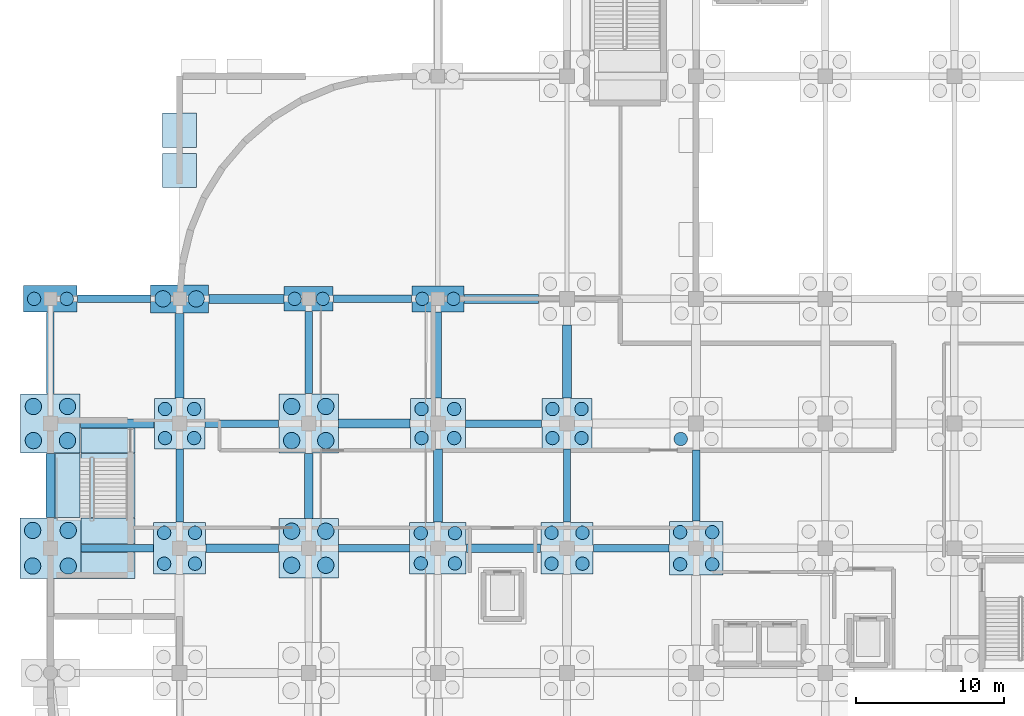
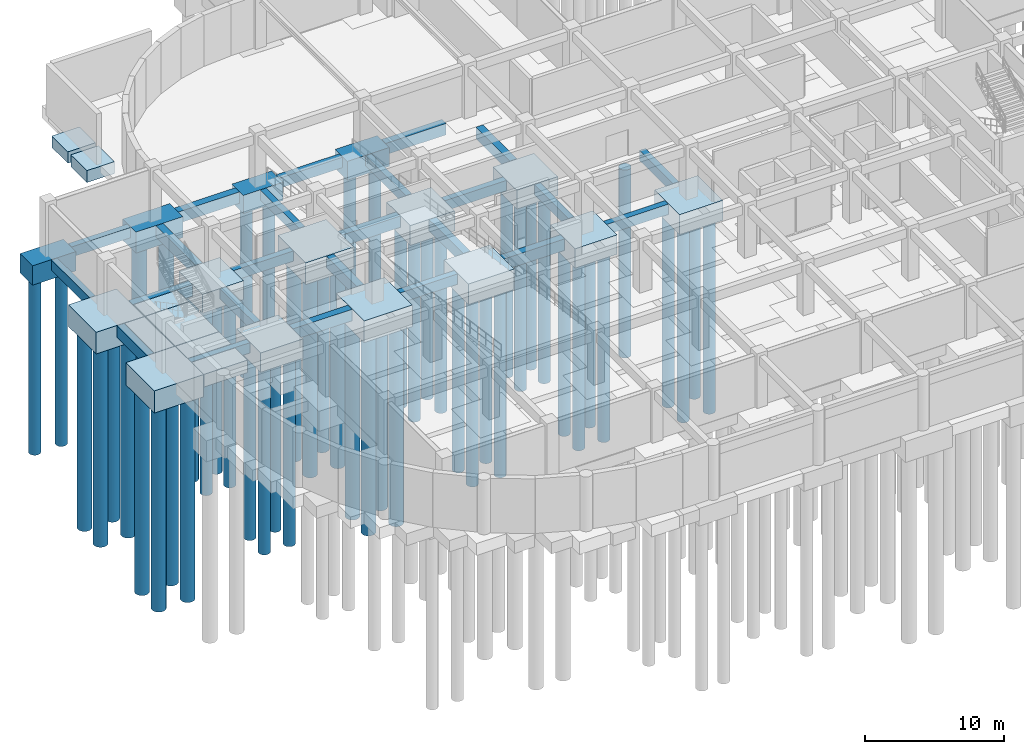
# One storey, part 3 of 33: 53 piles, 46 footings.
"""IFC4 building model written with IfcOpenShell, lengths in metres."""

from ifc_helpers import new_model, si_unit, derived_unit, direction, frame, origin, origin_2d, place, context, subcontext, project, spatial, rectangle, circle, extrude, material, material_profile, profile_set, type_object, element, save


model = new_model("IFC4")

# Units and contexts
model_context = context("Model", 3, precision=1e-05, world=origin(), true_north=direction((0.0, 1.0)))
body_context = subcontext(model_context, "Body", "Model", "MODEL_VIEW")
ifc_project = project(units=[si_unit("LENGTHUNIT", "METRE"), si_unit("AREAUNIT", "SQUARE_METRE"), si_unit("VOLUMEUNIT", "CUBIC_METRE"), si_unit("PLANEANGLEUNIT", "RADIAN"), si_unit("MASSUNIT", "GRAM", prefix="KILO"), derived_unit("THERMALTRANSMITTANCEUNIT", [(si_unit("MASSUNIT", "GRAM", prefix="KILO"), 1), (si_unit("TIMEUNIT", "SECOND"), -3), (si_unit("THERMODYNAMICTEMPERATUREUNIT", "KELVIN"), -1)])], contexts=[model_context])

# Site, building, storey
site_placement = place(None, origin())
site = spatial("IfcSite", under=ifc_project, at=site_placement, CompositionType="ELEMENT")
building_placement = place(site_placement, origin())
building = spatial("IfcBuilding", under=site, at=building_placement, Name="Qinzheling Arcade Emporium", CompositionType="ELEMENT")
storey_placement = place(building_placement, frame((0.0, 0.0, -9.60009765625)))
storey = spatial("IfcBuildingStorey", under=building, at=storey_placement, Name="B2", CompositionType="ELEMENT", Elevation=-9.60009765625)

# Footings
ifc_material = material(Name="Concrete C40", Category="concrete")
footing_type_1 = type_object("IfcFootingType", Name="Arcade Pad Footing 2400x2400x1050 C40", PredefinedType="PAD_FOOTING", material=ifc_material)
footing_1_placement = place(storey_placement, frame((8.699951171875, 59.037109375, -1.0498046875), z_axis=(0.0, 0.0, 1.0), x_axis=(1.0, 0.0, 0.0)))
element("IfcFooting", 1, at=footing_1_placement, inside=storey, type_object=footing_type_1, Name="Retaining Wall Pad Footing FND-PF-RW-079", PredefinedType="PAD_FOOTING", context=body_context, shape_type="SweptSolid", body=[
    extrude(rectangle(XDim=2.300048828125, YDim=2.300048828125, at=origin_2d()), origin(), (0.0, 0.0, 1.0), 1.050048828125),
])
footing_type_2 = type_object("IfcFootingType", Name="Canopy Pad Footing 2600x2600x1100 C40", PredefinedType="PAD_FOOTING", material=ifc_material)
footing_2_placement = place(storey_placement, frame((1.159912109375, 37.824951171875, -1.099853515625), z_axis=(0.0, 0.0, 1.0), x_axis=(1.0, 0.0, 0.0)))
element("IfcFooting", 2, at=footing_2_placement, inside=storey, type_object=footing_type_2, Name="Stair Core Mat Pad FND-PF-ST-ST02-1", PredefinedType="PAD_FOOTING", context=body_context, shape_type="SweptSolid", body=[
    extrude(rectangle(XDim=1.676025390625, YDim=4.305908203125, at=origin_2d()), origin(), (0.0, 0.0, 1.0), 1.10009765625),
])
for number, where, z_axis, x_axis, name in (
    (3, (3.8798828125, 32.43994140625, -1.099853515625), (0.0, 0.0, 1.0), (1.0, 0.0, 0.0), "Stair Core Mat Pad FND-PF-ST-ST02-2"),
    (4, (3.8798828125, 34.760009765625, -1.099853515625), (0.0, 0.0, 1.0), (1.0, 0.0, 0.0), "Stair Core Mat Pad FND-PF-ST-ST02-3"),
):
    element("IfcFooting", number, at=place(storey_placement, frame(where, z_axis=z_axis, x_axis=x_axis)), inside=storey, type_object=footing_type_2, Name=name, PredefinedType="PAD_FOOTING", context=body_context, shape_type="SweptSolid", body=[
        extrude(rectangle(XDim=3.615966796875, YDim=1.77587890625, at=origin_2d()), origin(), (0.0, 0.0, 1.0), 1.10009765625),
    ])
footing_3_placement = place(storey_placement, frame((3.8798828125, 37.824951171875, -1.099853515625), z_axis=(0.0, 0.0, 1.0), x_axis=(1.0, 0.0, 0.0)))
element("IfcFooting", 5, at=footing_3_placement, inside=storey, type_object=footing_type_2, Name="Stair Core Mat Pad FND-PF-ST-ST02-4", PredefinedType="PAD_FOOTING", context=body_context, shape_type="SweptSolid", body=[
    extrude(rectangle(XDim=3.615966796875, YDim=4.305908203125, at=origin_2d()), origin(), (0.0, 0.0, 1.0), 1.10009765625),
])
footing_4_placement = place(storey_placement, frame((3.8798828125, 40.840087890625, -1.099853515625), z_axis=(0.0, 0.0, 1.0), x_axis=(1.0, 0.0, 0.0)))
element("IfcFooting", 6, at=footing_4_placement, inside=storey, type_object=footing_type_2, Name="Stair Core Mat Pad FND-PF-ST-ST02-5", PredefinedType="PAD_FOOTING", context=body_context, shape_type="SweptSolid", body=[
    extrude(rectangle(XDim=3.615966796875, YDim=1.676025390625, at=origin_2d()), origin(), (0.0, 0.0, 1.0), 1.10009765625),
])
footing_type_3 = type_object("IfcFootingType", Name="Foundation Tie Beam 500x900 C40", PredefinedType="FOOTING_BEAM", material=ifc_material)
footing_5_placement = place(storey_placement, frame((4.5, 33.60009765625, -0.89990234375), z_axis=(0.0, 0.0, 1.0), x_axis=(1.0, 0.0, 0.0)))
element("IfcFooting", 7, at=footing_5_placement, inside=storey, type_object=footing_type_3, Name="Foundation Tie FND-FB-053", PredefinedType="FOOTING_BEAM", context=body_context, shape_type="SweptSolid", body=[
    extrude(rectangle(XDim=4.860107421875, YDim=0.5, at=origin_2d()), origin(), (0.0, 0.0, 1.0), 0.89990234375),
])
footing_6_placement = place(storey_placement, frame((21.800048828125, 33.60009765625, -0.89990234375), z_axis=(0.0, 0.0, 1.0), x_axis=(1.0, 0.0, 0.0)))
element("IfcFooting", 8, at=footing_6_placement, inside=storey, type_object=footing_type_3, Name="Foundation Tie FND-FB-055", PredefinedType="FOOTING_BEAM", context=body_context, shape_type="SweptSolid", body=[
    extrude(rectangle(XDim=4.760009765625, YDim=0.5, at=origin_2d()), origin(), (0.0, 0.0, 1.0), 0.89990234375),
])
footing_7_placement = place(storey_placement, frame((39.125, 33.60009765625, -0.89990234375), z_axis=(0.0, 0.0, 1.0), x_axis=(1.0, 0.0, 0.0)))
element("IfcFooting", 9, at=footing_7_placement, inside=storey, type_object=footing_type_3, Name="Foundation Tie FND-FB-057", PredefinedType="FOOTING_BEAM", context=body_context, shape_type="SweptSolid", body=[
    extrude(rectangle(XDim=5.110107421875, YDim=0.5, at=origin_2d()), origin(), (0.0, 0.0, 1.0), 0.89990234375),
])
footing_8_placement = place(storey_placement, frame((12.89990234375, 42.0, -0.89990234375), z_axis=(0.0, 0.0, 1.0), x_axis=(1.0, 0.0, 0.0)))
element("IfcFooting", 10, at=footing_8_placement, inside=storey, type_object=footing_type_3, Name="Foundation Tie FND-FB-073", PredefinedType="FOOTING_BEAM", context=body_context, shape_type="SweptSolid", body=[
    extrude(rectangle(XDim=4.9599609375, YDim=0.5, at=origin_2d()), origin(), (0.0, 0.0, 1.0), 0.89990234375),
])
footing_9_placement = place(storey_placement, frame((30.52490234375, 42.0, -0.89990234375), z_axis=(0.0, 0.0, 1.0), x_axis=(1.0, 0.0, 0.0)))
element("IfcFooting", 11, at=footing_9_placement, inside=storey, type_object=footing_type_3, Name="Foundation Tie FND-FB-075", PredefinedType="FOOTING_BEAM", context=body_context, shape_type="SweptSolid", body=[
    extrude(rectangle(XDim=5.110107421875, YDim=0.5, at=origin_2d()), origin(), (0.0, 0.0, 1.0), 0.89990234375),
])
footing_10_placement = place(storey_placement, frame((4.27490234375, 50.39990234375, -0.89990234375), z_axis=(0.0, 0.0, 1.0), x_axis=(1.0, 0.0, 0.0)))
element("IfcFooting", 12, at=footing_10_placement, inside=storey, type_object=footing_type_3, Name="Foundation Tie FND-FB-089", PredefinedType="FOOTING_BEAM", context=body_context, shape_type="SweptSolid", body=[
    extrude(rectangle(XDim=4.909912109375, YDim=0.5, at=origin_2d()), origin(), (0.0, 0.0, 1.0), 0.89990234375),
])
footing_11_placement = place(storey_placement, frame((21.699951171875, 50.39990234375, -0.89990234375), z_axis=(0.0, 0.0, 1.0), x_axis=(1.0, 0.0, 0.0)))
element("IfcFooting", 13, at=footing_11_placement, inside=storey, type_object=footing_type_3, Name="Foundation Tie FND-FB-091", PredefinedType="FOOTING_BEAM", context=body_context, shape_type="SweptSolid", body=[
    extrude(rectangle(XDim=5.260009765625, YDim=0.5, at=origin_2d()), origin(), (0.0, 0.0, 1.0), 0.89990234375),
])
footing_12_placement = place(storey_placement, frame((0.0, 46.75, -0.89990234375), z_axis=(0.0, 0.0, 1.0), x_axis=(1.0, 0.0, 0.0)))
element("IfcFooting", 14, at=footing_12_placement, inside=storey, type_object=footing_type_3, Name="Foundation Tie FND-FB-181", PredefinedType="FOOTING_BEAM", context=body_context, shape_type="SweptSolid", body=[
    extrude(rectangle(XDim=0.5, YDim=5.4599609375, at=origin_2d()), origin(), (0.0, 0.0, 1.0), 0.89990234375),
])
footing_13_placement = place(storey_placement, frame((8.699951171875, 37.824951171875, -0.89990234375), z_axis=(0.0, 0.0, 1.0), x_axis=(1.0, 0.0, 0.0)))
element("IfcFooting", 15, at=footing_13_placement, inside=storey, type_object=footing_type_3, Name="Foundation Tie FND-FB-185", PredefinedType="FOOTING_BEAM", context=body_context, shape_type="SweptSolid", body=[
    extrude(rectangle(XDim=0.5, YDim=4.909912109375, at=origin_2d()), origin(), (0.0, 0.0, 1.0), 0.89990234375),
])
footing_14_placement = place(storey_placement, frame((17.39990234375, 46.7880859375, -0.89990234375), z_axis=(0.0, 0.0, 1.0), x_axis=(1.0, 0.0, 0.0)))
element("IfcFooting", 16, at=footing_14_placement, inside=storey, type_object=footing_type_3, Name="Foundation Tie FND-FB-191", PredefinedType="FOOTING_BEAM", context=body_context, shape_type="SweptSolid", body=[
    extrude(rectangle(XDim=0.5, YDim=5.534912109375, at=origin_2d()), origin(), (0.0, 0.0, 1.0), 0.89990234375),
])
footing_15_placement = place(storey_placement, frame((26.10009765625, 46.612060546875, -0.89990234375), z_axis=(0.0, 0.0, 1.0), x_axis=(1.0, 0.0, 0.0)))
element("IfcFooting", 17, at=footing_15_placement, inside=storey, type_object=footing_type_3, Name="Foundation Tie FND-FB-197", PredefinedType="FOOTING_BEAM", context=body_context, shape_type="SweptSolid", body=[
    extrude(rectangle(XDim=0.5, YDim=5.784912109375, at=origin_2d()), origin(), (0.0, 0.0, 1.0), 0.89990234375),
])
footing_16_placement = place(storey_placement, frame((34.800048828125, 37.824951171875, -0.89990234375), z_axis=(0.0, 0.0, 1.0), x_axis=(1.0, 0.0, 0.0)))
element("IfcFooting", 18, at=footing_16_placement, inside=storey, type_object=footing_type_3, Name="Foundation Tie FND-FB-203", PredefinedType="FOOTING_BEAM", context=body_context, shape_type="SweptSolid", body=[
    extrude(rectangle(XDim=0.5, YDim=4.909912109375, at=origin_2d()), origin(), (0.0, 0.0, 1.0), 0.89990234375),
])
footing_17_placement = place(storey_placement, frame((43.5, 37.824951171875, -0.89990234375), z_axis=(0.0, 0.0, 1.0), x_axis=(1.0, 0.0, 0.0)))
element("IfcFooting", 19, at=footing_17_placement, inside=storey, type_object=footing_type_3, Name="Foundation Tie FND-FB-211", PredefinedType="FOOTING_BEAM", context=body_context, shape_type="SweptSolid", body=[
    extrude(rectangle(XDim=0.5, YDim=4.81005859375, at=origin_2d()), origin(), (0.0, 0.0, 1.0), 0.89990234375),
])
footing_type_4 = type_object("IfcFootingType", Name="Foundation Tie Beam 600x1000 C40", PredefinedType="FOOTING_BEAM", material=ifc_material)
footing_18_placement = place(storey_placement, frame((12.925048828125, 33.60009765625, -1.0), z_axis=(0.0, 0.0, 1.0), x_axis=(1.0, 0.0, 0.0)))
element("IfcFooting", 20, at=footing_18_placement, inside=storey, type_object=footing_type_4, Name="Foundation Tie FND-FB-054", PredefinedType="FOOTING_BEAM", context=body_context, shape_type="SweptSolid", body=[
    extrude(rectangle(XDim=4.909912109375, YDim=0.60009765625, at=origin_2d()), origin(), (0.0, 0.0, 1.0), 1.0),
])
footing_19_placement = place(storey_placement, frame((30.52490234375, 33.60009765625, -1.0), z_axis=(0.0, 0.0, 1.0), x_axis=(1.0, 0.0, 0.0)))
element("IfcFooting", 21, at=footing_19_placement, inside=storey, type_object=footing_type_4, Name="Foundation Tie FND-FB-056", PredefinedType="FOOTING_BEAM", context=body_context, shape_type="SweptSolid", body=[
    extrude(rectangle(XDim=5.010009765625, YDim=0.60009765625, at=origin_2d()), origin(), (0.0, 0.0, 1.0), 1.0),
])
footing_20_placement = place(storey_placement, frame((4.5, 42.0, -1.0), z_axis=(0.0, 0.0, 1.0), x_axis=(1.0, 0.0, 0.0)))
element("IfcFooting", 22, at=footing_20_placement, inside=storey, type_object=footing_type_4, Name="Foundation Tie FND-FB-072", PredefinedType="FOOTING_BEAM", context=body_context, shape_type="SweptSolid", body=[
    extrude(rectangle(XDim=4.9599609375, YDim=0.60009765625, at=origin_2d()), origin(), (0.0, 0.0, 1.0), 1.0),
])
footing_21_placement = place(storey_placement, frame((21.824951171875, 42.0, -1.0), z_axis=(0.0, 0.0, 1.0), x_axis=(1.0, 0.0, 0.0)))
element("IfcFooting", 23, at=footing_21_placement, inside=storey, type_object=footing_type_4, Name="Foundation Tie FND-FB-074", PredefinedType="FOOTING_BEAM", context=body_context, shape_type="SweptSolid", body=[
    extrude(rectangle(XDim=4.81005859375, YDim=0.60009765625, at=origin_2d()), origin(), (0.0, 0.0, 1.0), 1.0),
])
footing_22_placement = place(storey_placement, frame((13.199951171875, 50.39990234375, -1.0), z_axis=(0.0, 0.0, 1.0), x_axis=(1.0, 0.0, 0.0)))
element("IfcFooting", 24, at=footing_22_placement, inside=storey, type_object=footing_type_4, Name="Foundation Tie FND-FB-090", PredefinedType="FOOTING_BEAM", context=body_context, shape_type="SweptSolid", body=[
    extrude(rectangle(XDim=5.06005859375, YDim=0.60009765625, at=origin_2d()), origin(), (0.0, 0.0, 1.0), 1.0),
])
footing_23_placement = place(storey_placement, frame((30.375, 50.39990234375, -1.0), z_axis=(0.0, 0.0, 1.0), x_axis=(1.0, 0.0, 0.0)))
element("IfcFooting", 25, at=footing_23_placement, inside=storey, type_object=footing_type_4, Name="Foundation Tie FND-FB-092", PredefinedType="FOOTING_BEAM", context=body_context, shape_type="SweptSolid", body=[
    extrude(rectangle(XDim=5.010009765625, YDim=0.60009765625, at=origin_2d()), origin(), (0.0, 0.0, 1.0), 1.0),
])
footing_24_placement = place(storey_placement, frame((0.0, 37.824951171875, -1.0), z_axis=(0.0, 0.0, 1.0), x_axis=(1.0, 0.0, 0.0)))
element("IfcFooting", 26, at=footing_24_placement, inside=storey, type_object=footing_type_4, Name="Foundation Tie FND-FB-180", PredefinedType="FOOTING_BEAM", context=body_context, shape_type="SweptSolid", body=[
    extrude(rectangle(XDim=0.60009765625, YDim=4.31005859375, at=origin_2d()), origin(), (0.0, 0.0, 1.0), 1.0),
])
footing_25_placement = place(storey_placement, frame((8.699951171875, 46.574951171875, -1.0), z_axis=(0.0, 0.0, 1.0), x_axis=(1.0, 0.0, 0.0)))
element("IfcFooting", 27, at=footing_25_placement, inside=storey, type_object=footing_type_4, Name="Foundation Tie FND-FB-186", PredefinedType="FOOTING_BEAM", context=body_context, shape_type="SweptSolid", body=[
    extrude(rectangle(XDim=0.60009765625, YDim=5.7099609375, at=origin_2d()), origin(), (0.0, 0.0, 1.0), 1.0),
])
footing_26_placement = place(storey_placement, frame((17.39990234375, 37.800048828125, -1.0), z_axis=(0.0, 0.0, 1.0), x_axis=(1.0, 0.0, 0.0)))
element("IfcFooting", 28, at=footing_26_placement, inside=storey, type_object=footing_type_4, Name="Foundation Tie FND-FB-190", PredefinedType="FOOTING_BEAM", context=body_context, shape_type="SweptSolid", body=[
    extrude(rectangle(XDim=0.60009765625, YDim=4.360107421875, at=origin_2d()), origin(), (0.0, 0.0, 1.0), 1.0),
])
for number, where, z_axis, x_axis, name in (
    (29, (26.10009765625, 37.824951171875, -1.0), (0.0, 0.0, 1.0), (1.0, 0.0, 0.0), "Foundation Tie FND-FB-196"),
    (30, (34.800048828125, 46.175048828125, -1.0), (0.0, 0.0, 1.0), (1.0, 0.0, 0.0), "Foundation Tie FND-FB-204"),
):
    element("IfcFooting", number, at=place(storey_placement, frame(where, z_axis=z_axis, x_axis=x_axis)), inside=storey, type_object=footing_type_4, Name=name, PredefinedType="FOOTING_BEAM", context=body_context, shape_type="SweptSolid", body=[
        extrude(rectangle(XDim=0.60009765625, YDim=4.909912109375, at=origin_2d()), origin(), (0.0, 0.0, 1.0), 1.0),
    ])
footing_type_5 = type_object("IfcFootingType", Name="Four-Pile Arcade Cap 3700x3400x1750 C40", PredefinedType="PILE_CAP", material=ifc_material)
footing_27_placement = place(storey_placement, frame((26.10009765625, 42.0, -1.75), z_axis=(0.0, 0.0, 1.0), x_axis=(1.0, 0.0, 0.0)))
element("IfcFooting", 31, at=footing_27_placement, inside=storey, type_object=footing_type_5, Name="Pile Cap FND-PC-022", PredefinedType="PILE_CAP", context=body_context, shape_type="SweptSolid", body=[
    extrude(rectangle(XDim=3.699951171875, YDim=3.39990234375, at=origin_2d()), origin(), (0.0, 0.0, 1.0), 1.75),
])
footing_type_6 = type_object("IfcFootingType", Name="Four-Pile Atrium Cap 4000x4000x1900 C40", PredefinedType="PILE_CAP", material=ifc_material)
for number, where, z_axis, x_axis, name in (
    (32, (0.0, 42.0, -1.89990234375), (0.0, 0.0, 1.0), (1.0, 0.0, 0.0), "Pile Cap FND-PC-003"),
    (33, (17.39990234375, 33.60009765625, -1.89990234375), (0.0, 0.0, 1.0), (1.0, 0.0, 0.0), "Pile Cap FND-PC-014"),
    (34, (17.39990234375, 42.0, -1.89990234375), (0.0, 0.0, 1.0), (1.0, 0.0, 0.0), "Pile Cap FND-PC-015"),
):
    element("IfcFooting", number, at=place(storey_placement, frame(where, z_axis=z_axis, x_axis=x_axis)), inside=storey, type_object=footing_type_6, Name=name, PredefinedType="PILE_CAP", context=body_context, shape_type="SweptSolid", body=[
        extrude(rectangle(XDim=4.0, YDim=4.0, at=origin_2d()), origin(), (0.0, 0.0, 1.0), 1.89990234375),
    ])
footing_type_7 = type_object("IfcFootingType", Name="Four-Pile Core Cap 4100x4100x1950 C40", PredefinedType="PILE_CAP", material=ifc_material)
footing_28_placement = place(storey_placement, frame((0.0, 33.60009765625, -1.94970703125), z_axis=(0.0, 0.0, 1.0), x_axis=(1.0, 0.0, 0.0)))
element("IfcFooting", 35, at=footing_28_placement, inside=storey, type_object=footing_type_7, Name="Pile Cap FND-PC-002", PredefinedType="PILE_CAP", context=body_context, shape_type="SweptSolid", body=[
    extrude(rectangle(XDim=4.10009765625, YDim=4.10009765625, at=origin_2d()), origin(), (0.0, 0.0, 1.0), 1.949951171875),
])
footing_type_8 = type_object("IfcFootingType", Name="Four-Pile Frame Cap 3600x3600x1750 C40", PredefinedType="PILE_CAP", material=ifc_material)
footing_29_placement = place(storey_placement, frame((43.5, 33.60009765625, -1.75), z_axis=(0.0, 0.0, 1.0), x_axis=(1.0, 0.0, 0.0)))
element("IfcFooting", 36, at=footing_29_placement, inside=storey, type_object=footing_type_8, Name="Pile Cap FND-PC-040", PredefinedType="PILE_CAP", context=body_context, shape_type="SweptSolid", body=[
    extrude(rectangle(XDim=3.60009765625, YDim=3.60009765625, at=origin_2d()), origin(), (0.0, 0.0, 1.0), 1.75),
])
footing_type_9 = type_object("IfcFootingType", Name="Four-Pile Gallery Cap 3500x3500x1700 C40", PredefinedType="PILE_CAP", material=ifc_material)
for number, where, z_axis, x_axis, name in (
    (37, (8.699951171875, 33.60009765625, -1.69970703125), (0.0, 0.0, 1.0), (1.0, 0.0, 0.0), "Pile Cap FND-PC-008"),
    (38, (34.800048828125, 33.60009765625, -1.69970703125), (0.0, 0.0, 1.0), (1.0, 0.0, 0.0), "Pile Cap FND-PC-030"),
):
    element("IfcFooting", number, at=place(storey_placement, frame(where, z_axis=z_axis, x_axis=x_axis)), inside=storey, type_object=footing_type_9, Name=name, PredefinedType="PILE_CAP", context=body_context, shape_type="SweptSolid", body=[
        extrude(rectangle(XDim=3.5, YDim=3.5, at=origin_2d()), origin(), (0.0, 0.0, 1.0), 1.699951171875),
    ])
footing_type_10 = type_object("IfcFootingType", Name="Four-Pile Office Cap 3800x3500x1800 C40", PredefinedType="PILE_CAP", material=ifc_material)
footing_30_placement = place(storey_placement, frame((26.10009765625, 33.60009765625, -1.7998046875), z_axis=(0.0, 0.0, 1.0), x_axis=(1.0, 0.0, 0.0)))
element("IfcFooting", 39, at=footing_30_placement, inside=storey, type_object=footing_type_10, Name="Pile Cap FND-PC-021", PredefinedType="PILE_CAP", context=body_context, shape_type="SweptSolid", body=[
    extrude(rectangle(XDim=3.800048828125, YDim=3.5, at=origin_2d()), origin(), (0.0, 0.0, 1.0), 1.800048828125),
])
footing_type_11 = type_object("IfcFootingType", Name="Four-Pile Wing Cap 3400x3400x1650 C40", PredefinedType="PILE_CAP", material=ifc_material)
for number, where, z_axis, x_axis, name in (
    (40, (8.699951171875, 42.0, -1.64990234375), (0.0, 0.0, 1.0), (1.0, 0.0, 0.0), "Pile Cap FND-PC-009"),
    (41, (34.800048828125, 42.0, -1.64990234375), (0.0, 0.0, 1.0), (1.0, 0.0, 0.0), "Pile Cap FND-PC-031"),
):
    element("IfcFooting", number, at=place(storey_placement, frame(where, z_axis=z_axis, x_axis=x_axis)), inside=storey, type_object=footing_type_11, Name=name, PredefinedType="PILE_CAP", context=body_context, shape_type="SweptSolid", body=[
        extrude(rectangle(XDim=3.39990234375, YDim=3.39990234375, at=origin_2d()), origin(), (0.0, 0.0, 1.0), 1.64990234375),
    ])
footing_type_12 = type_object("IfcFootingType", Name="Loggia Pad Footing 2200x2200x1000 C40", PredefinedType="PAD_FOOTING", material=ifc_material)
footing_31_placement = place(storey_placement, frame((8.699951171875, 61.763916015625, -1.0), z_axis=(0.0, 0.0, 1.0), x_axis=(1.0, 0.0, 0.0)))
element("IfcFooting", 42, at=footing_31_placement, inside=storey, type_object=footing_type_12, Name="Retaining Wall Pad Footing FND-PF-RW-078", PredefinedType="PAD_FOOTING", context=body_context, shape_type="SweptSolid", body=[
    extrude(rectangle(XDim=2.300048828125, YDim=2.300048828125, at=origin_2d()), origin(), (0.0, 0.0, 1.0), 1.0),
])

# Piles
ifc_material_profile_1 = material_profile(ifc_material, circle(Radius=0.550048828125, at=origin_2d()), Name="BORED D1100", Category="concrete")
ifc_profile_set_1 = profile_set([ifc_material_profile_1], Name="Concrete C40")
pile_type_1 = type_object("IfcPileType", Name="Rotary Bored Pile D1100 C40", PredefinedType="BORED", material=ifc_profile_set_1)
for number, where, z_axis, x_axis, name in (
    (43, (-1.199951171875, 32.39990234375, -1.849853515625), (0.0, 0.0, -1.0), (1.0, 0.0, 0.0), "Bored Pile FND-PL-0003"),
    (44, (1.199951171875, 32.39990234375, -1.849853515625), (0.0, 0.0, -1.0), (1.0, 0.0, 0.0), "Bored Pile FND-PL-0004"),
    (45, (-1.199951171875, 34.800048828125, -1.849853515625), (0.0, 0.0, -1.0), (1.0, 0.0, 0.0), "Bored Pile FND-PL-0005"),
    (46, (1.199951171875, 34.800048828125, -1.849853515625), (0.0, 0.0, -1.0), (1.0, 0.0, 0.0), "Bored Pile FND-PL-0006"),
):
    element("IfcPile", number, at=place(storey_placement, frame(where, z_axis=z_axis, x_axis=x_axis)), inside=storey, type_object=pile_type_1, Name=name, PredefinedType="BORED", context=body_context, shape_type="SweptSolid", body=[
        extrude(circle(Radius=0.550048828125, at=origin_2d()), origin(), (0.0, 0.0, 1.0), 18.0),
    ])
for number, where, z_axis, x_axis, name in (
    (47, (-1.14990234375, 40.85009765625, -1.7998046875), (0.0, 0.0, -1.0), (1.0, 0.0, 0.0), "Bored Pile FND-PL-0007"),
    (48, (1.14990234375, 40.85009765625, -1.7998046875), (0.0, 0.0, -1.0), (1.0, 0.0, 0.0), "Bored Pile FND-PL-0008"),
    (49, (-1.14990234375, 43.14990234375, -1.7998046875), (0.0, 0.0, -1.0), (1.0, 0.0, 0.0), "Bored Pile FND-PL-0009"),
    (50, (1.14990234375, 43.14990234375, -1.7998046875), (0.0, 0.0, -1.0), (1.0, 0.0, 0.0), "Bored Pile FND-PL-0010"),
):
    element("IfcPile", number, at=place(storey_placement, frame(where, z_axis=z_axis, x_axis=x_axis)), inside=storey, type_object=pile_type_1, Name=name, PredefinedType="BORED", context=body_context, shape_type="SweptSolid", body=[
        extrude(circle(Radius=0.550048828125, at=origin_2d()), origin(), (0.0, 0.0, 1.0), 17.5),
    ])
for number, where, z_axis, x_axis, name in (
    (51, (7.580078125, 50.39990234375, -1.75), (0.0, 0.0, -1.0), (1.0, 0.0, 0.0), "Bored Pile FND-PL-0029"),
    (52, (9.820068359375, 50.39990234375, -1.75), (0.0, 0.0, -1.0), (1.0, 0.0, 0.0), "Bored Pile FND-PL-0030"),
):
    element("IfcPile", number, at=place(storey_placement, frame(where, z_axis=z_axis, x_axis=x_axis)), inside=storey, type_object=pile_type_1, Name=name, PredefinedType="BORED", context=body_context, shape_type="SweptSolid", body=[
        extrude(circle(Radius=0.550048828125, at=origin_2d()), origin(), (0.0, 0.0, 1.0), 16.5),
    ])
for number, where, z_axis, x_axis, name in (
    (53, (16.25, 32.449951171875, -1.7998046875), (0.0, 0.0, -1.0), (1.0, 0.0, 0.0), "Bored Pile FND-PL-0041"),
    (54, (18.550048828125, 32.449951171875, -1.7998046875), (0.0, 0.0, -1.0), (1.0, 0.0, 0.0), "Bored Pile FND-PL-0042"),
    (55, (16.25, 34.75, -1.7998046875), (0.0, 0.0, -1.0), (1.0, 0.0, 0.0), "Bored Pile FND-PL-0043"),
    (56, (18.550048828125, 34.75, -1.7998046875), (0.0, 0.0, -1.0), (1.0, 0.0, 0.0), "Bored Pile FND-PL-0044"),
    (57, (16.25, 40.85009765625, -1.7998046875), (0.0, 0.0, -1.0), (1.0, 0.0, 0.0), "Bored Pile FND-PL-0045"),
    (58, (18.550048828125, 40.85009765625, -1.7998046875), (0.0, 0.0, -1.0), (1.0, 0.0, 0.0), "Bored Pile FND-PL-0046"),
    (59, (16.25, 43.14990234375, -1.7998046875), (0.0, 0.0, -1.0), (1.0, 0.0, 0.0), "Bored Pile FND-PL-0047"),
    (60, (18.550048828125, 43.14990234375, -1.7998046875), (0.0, 0.0, -1.0), (1.0, 0.0, 0.0), "Bored Pile FND-PL-0048"),
):
    element("IfcPile", number, at=place(storey_placement, frame(where, z_axis=z_axis, x_axis=x_axis)), inside=storey, type_object=pile_type_1, Name=name, PredefinedType="BORED", context=body_context, shape_type="SweptSolid", body=[
        extrude(circle(Radius=0.550048828125, at=origin_2d()), origin(), (0.0, 0.0, 1.0), 17.5),
    ])
ifc_material_profile_2 = material_profile(ifc_material, circle(Radius=0.449951171875, at=origin_2d()), Name="BORED D900", Category="concrete")
ifc_profile_set_2 = profile_set([ifc_material_profile_2], Name="Concrete C40")
pile_type_2 = type_object("IfcPileType", Name="Rotary Bored Pile D900 C40", PredefinedType="BORED", material=ifc_profile_set_2)
for number, where, z_axis, x_axis, name in (
    (61, (-1.10009765625, 50.39990234375, -1.599853515625), (0.0, 0.0, -1.0), (1.0, 0.0, 0.0), "Bored Pile FND-PL-0011"),
    (62, (1.10009765625, 50.39990234375, -1.599853515625), (0.0, 0.0, -1.0), (1.0, 0.0, 0.0), "Bored Pile FND-PL-0012"),
):
    element("IfcPile", number, at=place(storey_placement, frame(where, z_axis=z_axis, x_axis=x_axis)), inside=storey, type_object=pile_type_2, Name=name, PredefinedType="BORED", context=body_context, shape_type="SweptSolid", body=[
        extrude(circle(Radius=0.449951171875, at=origin_2d()), origin(), (0.0, 0.0, 1.0), 15.5),
    ])
for number, where, z_axis, x_axis, name in (
    (63, (7.659912109375, 32.56005859375, -1.599853515625), (0.0, 0.0, -1.0), (1.0, 0.0, 0.0), "Bored Pile FND-PL-0021"),
    (64, (9.739990234375, 32.56005859375, -1.599853515625), (0.0, 0.0, -1.0), (1.0, 0.0, 0.0), "Bored Pile FND-PL-0022"),
    (65, (7.659912109375, 34.639892578125, -1.599853515625), (0.0, 0.0, -1.0), (1.0, 0.0, 0.0), "Bored Pile FND-PL-0023"),
    (66, (9.739990234375, 34.639892578125, -1.599853515625), (0.0, 0.0, -1.0), (1.0, 0.0, 0.0), "Bored Pile FND-PL-0024"),
    (67, (7.719970703125, 41.02001953125, -1.5498046875), (0.0, 0.0, -1.0), (1.0, 0.0, 0.0), "Bored Pile FND-PL-0025"),
    (68, (9.679931640625, 41.02001953125, -1.5498046875), (0.0, 0.0, -1.0), (1.0, 0.0, 0.0), "Bored Pile FND-PL-0026"),
    (69, (7.719970703125, 42.97998046875, -1.5498046875), (0.0, 0.0, -1.0), (1.0, 0.0, 0.0), "Bored Pile FND-PL-0027"),
    (70, (9.679931640625, 42.97998046875, -1.5498046875), (0.0, 0.0, -1.0), (1.0, 0.0, 0.0), "Bored Pile FND-PL-0028"),
):
    element("IfcPile", number, at=place(storey_placement, frame(where, z_axis=z_axis, x_axis=x_axis)), inside=storey, type_object=pile_type_2, Name=name, PredefinedType="BORED", context=body_context, shape_type="SweptSolid", body=[
        extrude(circle(Radius=0.449951171875, at=origin_2d()), origin(), (0.0, 0.0, 1.0), 16.5),
    ])
for number, where, z_axis, x_axis, name in (
    (71, (16.449951171875, 50.39990234375, -1.5), (0.0, 0.0, -1.0), (1.0, 0.0, 0.0), "Bored Pile FND-PL-0049"),
    (72, (18.35009765625, 50.39990234375, -1.5), (0.0, 0.0, -1.0), (1.0, 0.0, 0.0), "Bored Pile FND-PL-0050"),
):
    element("IfcPile", number, at=place(storey_placement, frame(where, z_axis=z_axis, x_axis=x_axis)), inside=storey, type_object=pile_type_2, Name=name, PredefinedType="BORED", context=body_context, shape_type="SweptSolid", body=[
        extrude(circle(Radius=0.449951171875, at=origin_2d()), origin(), (0.0, 0.0, 1.0), 15.0),
    ])
for number, where, z_axis, x_axis, name in (
    (73, (24.949951171875, 32.580078125, -1.699951171875), (0.0, 0.0, -1.0), (1.0, 0.0, 0.0), "Bored Pile FND-PL-0065"),
    (74, (27.25, 32.580078125, -1.699951171875), (0.0, 0.0, -1.0), (1.0, 0.0, 0.0), "Bored Pile FND-PL-0066"),
    (75, (24.949951171875, 34.6201171875, -1.699951171875), (0.0, 0.0, -1.0), (1.0, 0.0, 0.0), "Bored Pile FND-PL-0067"),
    (76, (27.25, 34.6201171875, -1.699951171875), (0.0, 0.0, -1.0), (1.0, 0.0, 0.0), "Bored Pile FND-PL-0068"),
):
    element("IfcPile", number, at=place(storey_placement, frame(where, z_axis=z_axis, x_axis=x_axis)), inside=storey, type_object=pile_type_2, Name=name, PredefinedType="BORED", context=body_context, shape_type="SweptSolid", body=[
        extrude(circle(Radius=0.449951171875, at=origin_2d()), origin(), (0.0, 0.0, 1.0), 16.5),
    ])
for number, where, z_axis, x_axis, name in (
    (77, (25.0, 41.02001953125, -1.64990234375), (0.0, 0.0, -1.0), (1.0, 0.0, 0.0), "Bored Pile FND-PL-0069"),
    (78, (27.199951171875, 41.02001953125, -1.64990234375), (0.0, 0.0, -1.0), (1.0, 0.0, 0.0), "Bored Pile FND-PL-0070"),
    (79, (25.0, 42.97998046875, -1.64990234375), (0.0, 0.0, -1.0), (1.0, 0.0, 0.0), "Bored Pile FND-PL-0071"),
    (80, (27.199951171875, 42.97998046875, -1.64990234375), (0.0, 0.0, -1.0), (1.0, 0.0, 0.0), "Bored Pile FND-PL-0072"),
):
    element("IfcPile", number, at=place(storey_placement, frame(where, z_axis=z_axis, x_axis=x_axis)), inside=storey, type_object=pile_type_2, Name=name, PredefinedType="BORED", context=body_context, shape_type="SweptSolid", body=[
        extrude(circle(Radius=0.449951171875, at=origin_2d()), origin(), (0.0, 0.0, 1.0), 16.0),
    ])
for number, where, z_axis, x_axis, name in (
    (81, (25.050048828125, 50.39990234375, -1.5498046875), (0.0, 0.0, -1.0), (1.0, 0.0, 0.0), "Bored Pile FND-PL-0073"),
    (82, (27.14990234375, 50.39990234375, -1.5498046875), (0.0, 0.0, -1.0), (1.0, 0.0, 0.0), "Bored Pile FND-PL-0074"),
):
    element("IfcPile", number, at=place(storey_placement, frame(where, z_axis=z_axis, x_axis=x_axis)), inside=storey, type_object=pile_type_2, Name=name, PredefinedType="BORED", context=body_context, shape_type="SweptSolid", body=[
        extrude(circle(Radius=0.449951171875, at=origin_2d()), origin(), (0.0, 0.0, 1.0), 15.5),
    ])
for number, where, z_axis, x_axis, name in (
    (83, (33.760009765625, 32.56005859375, -1.599853515625), (0.0, 0.0, -1.0), (1.0, 0.0, 0.0), "Bored Pile FND-PL-0093"),
    (84, (35.840087890625, 32.56005859375, -1.599853515625), (0.0, 0.0, -1.0), (1.0, 0.0, 0.0), "Bored Pile FND-PL-0094"),
    (85, (33.760009765625, 34.639892578125, -1.599853515625), (0.0, 0.0, -1.0), (1.0, 0.0, 0.0), "Bored Pile FND-PL-0095"),
    (86, (35.840087890625, 34.639892578125, -1.599853515625), (0.0, 0.0, -1.0), (1.0, 0.0, 0.0), "Bored Pile FND-PL-0096"),
    (87, (33.820068359375, 41.02001953125, -1.5498046875), (0.0, 0.0, -1.0), (1.0, 0.0, 0.0), "Bored Pile FND-PL-0097"),
    (88, (35.780029296875, 41.02001953125, -1.5498046875), (0.0, 0.0, -1.0), (1.0, 0.0, 0.0), "Bored Pile FND-PL-0098"),
    (89, (33.820068359375, 42.97998046875, -1.5498046875), (0.0, 0.0, -1.0), (1.0, 0.0, 0.0), "Bored Pile FND-PL-0099"),
    (90, (35.780029296875, 42.97998046875, -1.5498046875), (0.0, 0.0, -1.0), (1.0, 0.0, 0.0), "Bored Pile FND-PL-0100"),
):
    element("IfcPile", number, at=place(storey_placement, frame(where, z_axis=z_axis, x_axis=x_axis)), inside=storey, type_object=pile_type_2, Name=name, PredefinedType="BORED", context=body_context, shape_type="SweptSolid", body=[
        extrude(circle(Radius=0.449951171875, at=origin_2d()), origin(), (0.0, 0.0, 1.0), 16.5),
    ])
for number, where, z_axis, x_axis, name in (
    (91, (42.419921875, 32.52001953125, -1.64990234375), (0.0, 0.0, -1.0), (1.0, 0.0, 0.0), "Bored Pile FND-PL-0129"),
    (92, (44.580078125, 32.52001953125, -1.64990234375), (0.0, 0.0, -1.0), (1.0, 0.0, 0.0), "Bored Pile FND-PL-0130"),
    (93, (42.419921875, 34.679931640625, -1.64990234375), (0.0, 0.0, -1.0), (1.0, 0.0, 0.0), "Bored Pile FND-PL-0131"),
    (94, (44.580078125, 34.679931640625, -1.64990234375), (0.0, 0.0, -1.0), (1.0, 0.0, 0.0), "Bored Pile FND-PL-0132"),
):
    element("IfcPile", number, at=place(storey_placement, frame(where, z_axis=z_axis, x_axis=x_axis)), inside=storey, type_object=pile_type_2, Name=name, PredefinedType="BORED", context=body_context, shape_type="SweptSolid", body=[
        extrude(circle(Radius=0.449951171875, at=origin_2d()), origin(), (0.0, 0.0, 1.0), 17.0),
    ])
pile_placement = place(storey_placement, frame((42.4599609375, 40.9599609375, -1.599853515625), z_axis=(0.0, 0.0, -1.0), x_axis=(1.0, 0.0, 0.0)))
element("IfcPile", 95, at=pile_placement, inside=storey, type_object=pile_type_2, Name="Bored Pile FND-PL-0133", PredefinedType="BORED", context=body_context, shape_type="SweptSolid", body=[
    extrude(circle(Radius=0.449951171875, at=origin_2d()), origin(), (0.0, 0.0, 1.0), 16.5),
])

# Footings
footing_type_13 = type_object("IfcFootingType", Name="Two-Pile Court Cap 3300x1650x1600 C40", PredefinedType="PILE_CAP", material=ifc_material)
footing_32_placement = place(storey_placement, frame((17.39990234375, 50.39990234375, -1.599853515625), z_axis=(0.0, 0.0, 1.0), x_axis=(1.0, 0.0, 0.0)))
element("IfcFooting", 96, at=footing_32_placement, inside=storey, type_object=footing_type_13, Name="Pile Cap FND-PC-016", PredefinedType="PILE_CAP", context=body_context, shape_type="SweptSolid", body=[
    extrude(rectangle(XDim=3.300048828125, YDim=1.64990234375, at=origin_2d()), origin(), (0.0, 0.0, 1.0), 1.60009765625),
])
footing_type_14 = type_object("IfcFootingType", Name="Two-Pile Heavy Cap 3900x1900x1850 C40", PredefinedType="PILE_CAP", material=ifc_material)
footing_33_placement = place(storey_placement, frame((8.699951171875, 50.39990234375, -1.849853515625), z_axis=(0.0, 0.0, 1.0), x_axis=(1.0, 0.0, 0.0)))
element("IfcFooting", 97, at=footing_33_placement, inside=storey, type_object=footing_type_14, Name="Pile Cap FND-PC-010", PredefinedType="PILE_CAP", context=body_context, shape_type="SweptSolid", body=[
    extrude(rectangle(XDim=3.89990234375, YDim=1.89990234375, at=origin_2d()), origin(), (0.0, 0.0, 1.0), 1.85009765625),
])
footing_type_15 = type_object("IfcFootingType", Name="Two-Pile Rectangular Cap 3600x1800x1700 C40", PredefinedType="PILE_CAP", material=ifc_material)
footing_34_placement = place(storey_placement, frame((0.0, 50.39990234375, -1.69970703125), z_axis=(0.0, 0.0, 1.0), x_axis=(1.0, 0.0, 0.0)))
element("IfcFooting", 98, at=footing_34_placement, inside=storey, type_object=footing_type_15, Name="Pile Cap FND-PC-004", PredefinedType="PILE_CAP", context=body_context, shape_type="SweptSolid", body=[
    extrude(rectangle(XDim=3.60009765625, YDim=1.800048828125, at=origin_2d()), origin(), (0.0, 0.0, 1.0), 1.699951171875),
])
footing_type_16 = type_object("IfcFootingType", Name="Two-Pile Spandrel Cap 3500x1750x1650 C40", PredefinedType="PILE_CAP", material=ifc_material)
footing_35_placement = place(storey_placement, frame((26.10009765625, 50.39990234375, -1.64990234375), z_axis=(0.0, 0.0, 1.0), x_axis=(1.0, 0.0, 0.0)))
element("IfcFooting", 99, at=footing_35_placement, inside=storey, type_object=footing_type_16, Name="Pile Cap FND-PC-023", PredefinedType="PILE_CAP", context=body_context, shape_type="SweptSolid", body=[
    extrude(rectangle(XDim=3.5, YDim=1.75, at=origin_2d()), origin(), (0.0, 0.0, 1.0), 1.64990234375),
])

save(model, "model.ifc")
